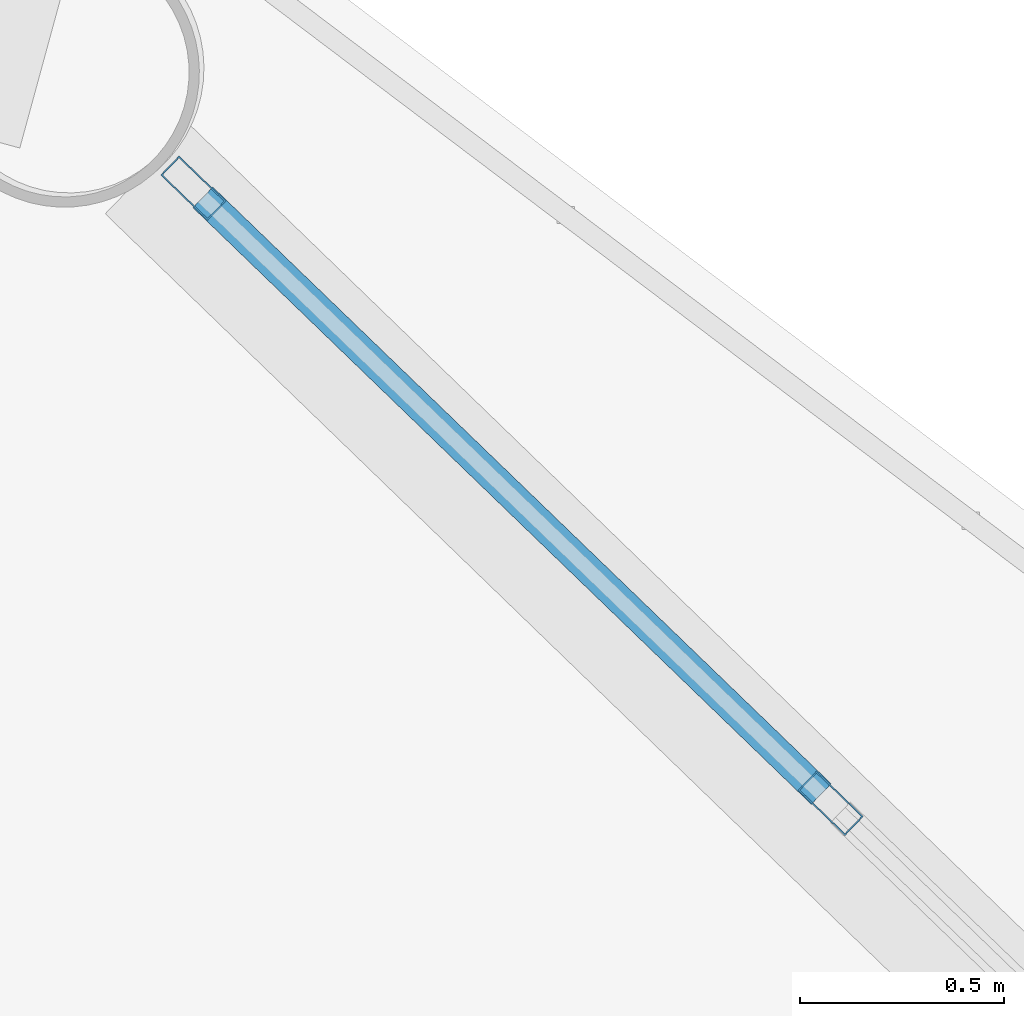
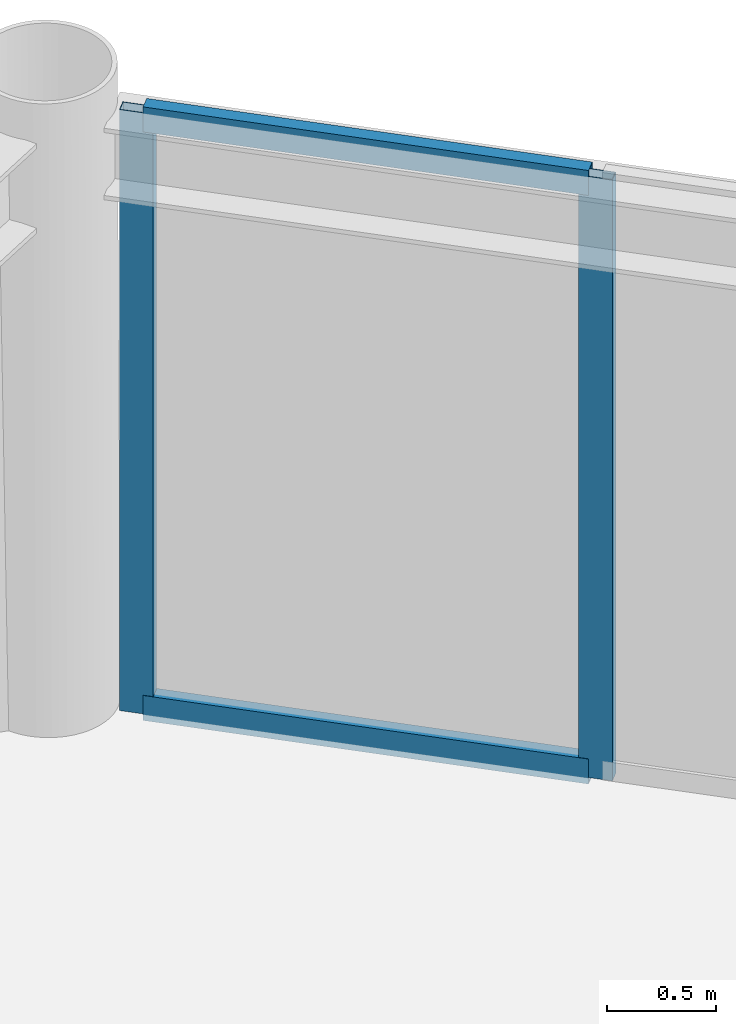
# One storey, part 19 of 26: 4 members, 1 element without a shape of its own.
"""IFC4 building model written with IfcOpenShell, lengths in metres."""

from ifc_helpers import new_model, si_unit, direction, frame, origin, origin_2d, place, context, subcontext, project, spatial, hollow_rectangle, extrude, material, layer, layer_set, material_profile, profile_set, type_object, element, aggregate, save


model = new_model("IFC4")

# Units and contexts
model_context = context("Model", 3, precision=1e-05, world=origin(), true_north=direction((0.0, 1.0)))
body_context = subcontext(model_context, "Body", "Model", "MODEL_VIEW")
ifc_project = project(units=[si_unit("LENGTHUNIT", "METRE"), si_unit("AREAUNIT", "SQUARE_METRE"), si_unit("VOLUMEUNIT", "CUBIC_METRE"), si_unit("PLANEANGLEUNIT", "RADIAN"), si_unit("MASSUNIT", "GRAM", prefix="KILO")], contexts=[model_context])

# Site, building, storey
site_placement = place(None, origin())
site = spatial("IfcSite", under=ifc_project, at=site_placement, CompositionType="ELEMENT")
building_placement = place(site_placement, origin())
building = spatial("IfcBuilding", under=site, at=building_placement, Name="Varnakorn Sky Granary", CompositionType="ELEMENT")
storey_placement = place(building_placement, frame((0.0, 0.0, 222.0)))
storey = spatial("IfcBuildingStorey", under=building, at=storey_placement, Name="L56", CompositionType="ELEMENT", Elevation=222.0)

# Curtain wall, members
ifc_material = material(Name="Anodised Bronze Aluminium Alloy 6063-T6", Category="aluminium")
ifc_layer = layer(ifc_material, 0.169921875, Name="Anodised Bronze Aluminium Alloy 6063-T6")
ifc_layer_set = layer_set([ifc_layer], Name="Anodised Bronze Aluminium Alloy 6063-T6")
curtain_wall_type = type_object("IfcCurtainWallType", Name="CW-LAB-1", PredefinedType="USERDEFINED", material=ifc_layer_set)
curtain_wall_placement = place(storey_placement, origin())
curtain_wall = element("IfcCurtainWall", 1, at=curtain_wall_placement, inside=storey, type_object=curtain_wall_type, Name="Unitised Curtain Wall CW5 CW-L56-B02", ObjectType="CURTAIN WALL", PredefinedType="USERDEFINED")
ifc_material_profile_1 = material_profile(ifc_material, hollow_rectangle(XDim=0.06494140625, YDim=0.159912109375, WallThickness=0.00341796875, at=origin_2d()), Name="ALU MULL 65x160")
ifc_profile_set_1 = profile_set([ifc_material_profile_1], Name="Anodised Bronze Aluminium Alloy 6063-T6")
member_type_1 = type_object("IfcMemberType", Name="CW-LAB-1-MULL", PredefinedType="MULLION", material=ifc_profile_set_1)
member_1_placement = place(storey_placement, frame((14.571044921875, 15.446533203125, 0.0), z_axis=(0.0, 0.0, 1.0), x_axis=(0.694404067281, 0.719585291222, 0.0)))
member_1 = element("IfcMember", 2, at=member_1_placement, type_object=member_type_1, Name="CW5 mullion 1", PredefinedType="MULLION", context=body_context, shape_type="SweptSolid", body=[
    extrude(hollow_rectangle(XDim=0.06494140625, YDim=0.159912109375, WallThickness=0.00341796875, at=origin_2d()), origin(), (0.0, 0.0, 1.0), 3.360107421875),
])
member_2_placement = place(storey_placement, frame((16.130615234375, 13.94140625, 0.0), z_axis=(0.0, 0.0, 1.0), x_axis=(0.694404067281, 0.719585291222, 0.0)))
member_2 = element("IfcMember", 3, at=member_2_placement, type_object=member_type_1, Name="CW5 mullion 2", PredefinedType="MULLION", context=body_context, shape_type="SweptSolid", body=[
    extrude(hollow_rectangle(XDim=0.06494140625, YDim=0.159912109375, WallThickness=0.00341796875, at=origin_2d()), origin(), (0.0, 0.0, 1.0), 3.360107421875),
])
ifc_material_profile_2 = material_profile(ifc_material, hollow_rectangle(XDim=0.070068359375, YDim=0.139892578125, WallThickness=0.00341796875, at=origin_2d()), Name="ALU TRAN 70x140")
ifc_profile_set_2 = profile_set([ifc_material_profile_2], Name="Anodised Bronze Aluminium Alloy 6063-T6")
member_type_2 = type_object("IfcMemberType", Name="CW-LAB-1-TRAN", PredefinedType="USERDEFINED", material=ifc_profile_set_2)
member_3_placement = place(storey_placement, frame((14.594482421875, 15.424072265625, 0.034912109375), z_axis=(0.719593512887, -0.694395547372, 0.0), x_axis=(0.694395547372, 0.719593512887, 0.0)))
member_3 = element("IfcMember", 4, at=member_3_placement, type_object=member_type_2, Name="CW5 transom 1.1", ObjectType="TRANSOM", PredefinedType="USERDEFINED", context=body_context, shape_type="SweptSolid", body=[
    extrude(hollow_rectangle(XDim=0.070068359375, YDim=0.139892578125, WallThickness=0.00341796875, at=origin_2d()), origin(), (0.0, 0.0, 1.0), 2.1025390625),
])
member_4_placement = place(storey_placement, frame((14.594482421875, 15.424072265625, 3.324951171875), z_axis=(0.719593512887, -0.694395547372, 0.0), x_axis=(0.694395547372, 0.719593512887, 0.0)))
member_4 = element("IfcMember", 5, at=member_4_placement, type_object=member_type_2, Name="CW5 transom 1.2", ObjectType="TRANSOM", PredefinedType="USERDEFINED", context=body_context, shape_type="SweptSolid", body=[
    extrude(hollow_rectangle(XDim=0.070068359375, YDim=0.139892578125, WallThickness=0.00341796875, at=origin_2d()), origin(), (0.0, 0.0, 1.0), 2.1025390625),
])
aggregate(curtain_wall, [member_1, member_2, member_3, member_4])

save(model, "model.ifc")
